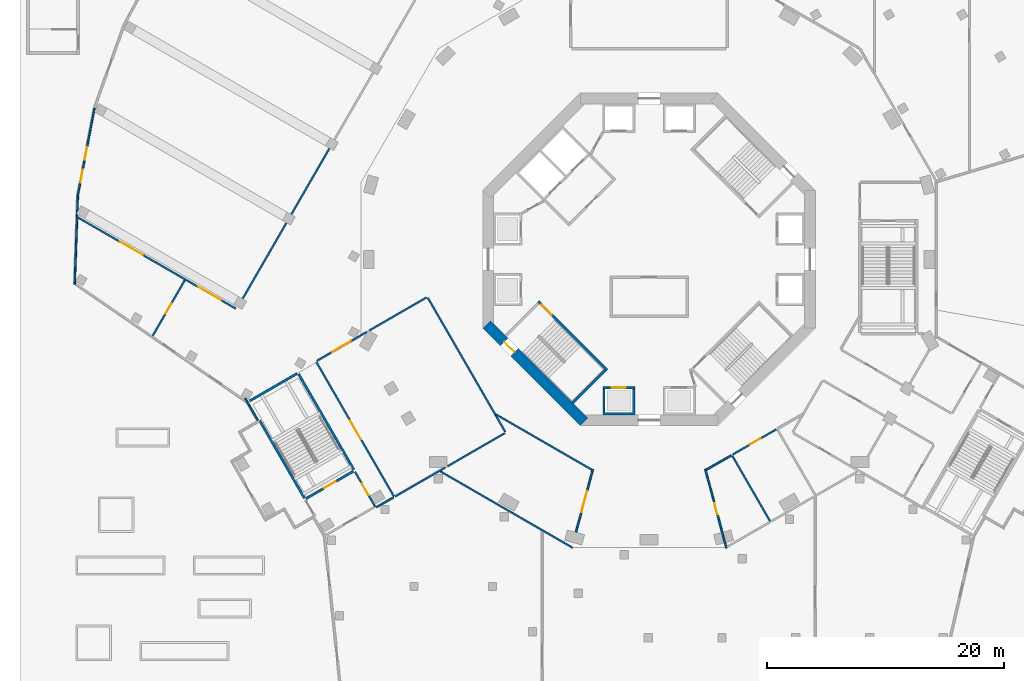
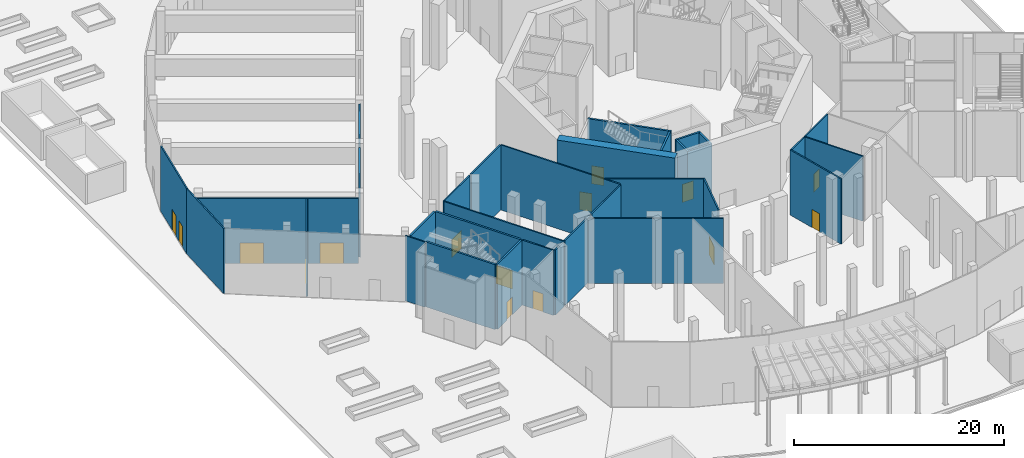
# One storey, part 6 of 30: 31 walls, 15 doors, 15 openings.
"""IFC4 building model written with IfcOpenShell, lengths in metres."""

from ifc_helpers import new_model, si_unit, direction, frame, frame_2d, origin, place, context, subcontext, project, spatial, polyline, rectangle, outline, extrude, material, layer, layer_set, type_object, element, fill, save


model = new_model("IFC4")

# Units and contexts
model_context = context("Model", 3, precision=1e-05, world=origin(), true_north=direction((0.0, 1.0)))
body_context = subcontext(model_context, "Body", "Model", "MODEL_VIEW")
ifc_project = project(units=[si_unit("LENGTHUNIT", "METRE"), si_unit("AREAUNIT", "SQUARE_METRE"), si_unit("VOLUMEUNIT", "CUBIC_METRE"), si_unit("PLANEANGLEUNIT", "RADIAN"), si_unit("MASSUNIT", "GRAM", prefix="KILO")], contexts=[model_context])

# Site, building, storey
site_placement = place(None, origin())
site = spatial("IfcSite", under=ifc_project, at=site_placement, CompositionType="ELEMENT")
building_placement = place(site_placement, origin())
building = spatial("IfcBuilding", under=site, at=building_placement, Name="Verdalira Terraces Hotel", CompositionType="ELEMENT")
storey_placement = place(building_placement, origin())
storey = spatial("IfcBuildingStorey", under=building, at=storey_placement, Name="L00", CompositionType="ELEMENT", Elevation=0.0)

# Wall
ifc_material_1 = material(Name="Concrete C50", Category="concrete")
ifc_layer_1 = layer(ifc_material_1, 0.199951171875)
ifc_layer_set_1 = layer_set([ifc_layer_1], Name="Core RC wall 200 C50")
wall_type_1 = type_object("IfcWallType", Name="Core RC wall 200 C50", PredefinedType="SOLIDWALL", material=ifc_layer_set_1)
wall_1_placement = place(storey_placement, origin())
element("IfcWall", 1, at=wall_1_placement, inside=storey, type_object=wall_type_1, Name="L00 shaft wall S1", PredefinedType="SOLIDWALL", context=body_context, shape_type="SweptSolid", body=[
    extrude(outline(polyline([(-3.899902, -13.100098), (-3.899902, -10.899902), (-3.699951, -10.899902), (-3.699951, -12.899902), (-1.399902, -12.899902), (-1.399902, -10.899902), (-1.199951, -10.899902), (-1.199951, -13.100098), (-3.899902, -13.100098)])), origin(), (0.0, 0.0, 1.0), 7.550049),
])

# Wall, opening, door
wall_2_placement = place(storey_placement, frame((-1.199951, -10.800049, 0.0), z_axis=(0.0, 0.0, 1.0), x_axis=(-1.0, 0.0, 0.0)))
wall_2 = element("IfcWall", 2, at=wall_2_placement, inside=storey, type_object=wall_type_1, Name="L00 shaft front wall S1", PredefinedType="SOLIDWALL", context=body_context, shape_type="SweptSolid", body=[
    extrude(rectangle(XDim=2.699951, YDim=0.199951, at=frame_2d((1.350098, 0.0))), origin(), (0.0, 0.0, 1.0), 7.550049),
])
opening_1_placement = place(wall_2_placement, frame((0.75, 0.0, 0.0)))
opening_1 = element("IfcOpeningElement", 3, at=opening_1_placement, cuts=wall_2, Name="Opening LD-L00-807", PredefinedType="OPENING", context=body_context, shape_type="SweptSolid", body=[
    extrude(rectangle(XDim=1.199951, YDim=2.100098, at=frame_2d((0.600098, 1.050049))), frame((0.0, 0.109863, 0.0), z_axis=(0.0, -1.0, 0.0), x_axis=(1.0, 0.0, 0.0)), (0.0, 0.0, 1.0), 0.219971),
])
ifc_material_2 = material(Name="Stainless steel", Category="steel")
door_type_1 = type_object("IfcDoorType", Name="Landing door 1200 x 2100", OperationType="NOTDEFINED", PredefinedType="DOOR", material=ifc_material_2)
door_1_placement = place(opening_1_placement, origin())
door_1 = element("IfcDoor", 4, at=door_1_placement, inside=storey, type_object=door_type_1, Name="Lift landing door SH1 L00", OperationType="DOUBLE_DOOR_SLIDING", OverallHeight=2.10009765625, OverallWidth=1.199951171875, PredefinedType="DOOR", context=body_context, shape_type="SweptSolid", body=[
    extrude(rectangle(XDim=1.199951, YDim=2.100098, at=frame_2d((0.600098, 1.050049))), frame((0.0, 0.024902, 0.0), z_axis=(0.0, -1.0, 0.0), x_axis=(1.0, 0.0, 0.0)), (0.0, 0.0, 1.0), 0.050049),
])
fill(opening_1, door_1)

wall_3_placement = place(storey_placement, frame((-3.5354, -9.33374, 0.0), z_axis=(0.0, 0.0, 1.0), x_axis=(-0.707106781, 0.707106781, 0.0)))
wall_3 = element("IfcWall", 5, at=wall_3_placement, inside=storey, type_object=wall_type_1, Name="L00 stair ST2 front wall", PredefinedType="SOLIDWALL", context=body_context, shape_type="SweptSolid", body=[
    extrude(rectangle(XDim=8.200195, YDim=0.199951, at=frame_2d((4.100098, 0.0))), origin(), (0.0, 0.0, 1.0), 7.550049),
])
opening_2_placement = place(wall_3_placement, frame((6.600098, 0.0, 0.0)))
opening_2 = element("IfcOpeningElement", 6, at=opening_2_placement, cuts=wall_3, Name="Opening L00-812", PredefinedType="OPENING", context=body_context, shape_type="SweptSolid", body=[
    extrude(rectangle(XDim=1.199951, YDim=2.100098, at=frame_2d((0.600098, 1.050049))), frame((0.0, 0.109863, 0.0), z_axis=(0.0, -1.0, 0.0), x_axis=(1.0, 0.0, 0.0)), (0.0, 0.0, 1.0), 0.219971),
])
ifc_material_3 = material(Name="Steel fire door", Category="steel")
door_type_2 = type_object("IfcDoorType", Name="Stair door 1200 x 2100", OperationType="NOTDEFINED", PredefinedType="DOOR", material=ifc_material_3)
door_2_placement = place(opening_2_placement, origin())
door_2 = element("IfcDoor", 7, at=door_2_placement, inside=storey, type_object=door_type_2, Name="Stair door ST2 L00", OperationType="SINGLE_SWING_RIGHT", OverallHeight=2.10009765625, OverallWidth=1.199951171875, PredefinedType="DOOR", context=body_context, shape_type="SweptSolid", body=[
    extrude(rectangle(XDim=1.199951, YDim=2.100098, at=frame_2d((0.600098, 1.050049))), frame((0.0, 0.024902, 0.0), z_axis=(0.0, -1.0, 0.0), x_axis=(1.0, 0.0, 0.0)), (0.0, 0.0, 1.0), 0.050049),
])
fill(opening_2, door_2)

# Wall
wall_4_placement = place(storey_placement, frame((-3.677002, -9.33374, 0.0), z_axis=(0.0, 0.0, 1.0), x_axis=(-0.707106781, -0.707106781, 0.0)))
element("IfcWall", 8, at=wall_4_placement, inside=storey, type_object=wall_type_1, Name="L00 stair ST2 end wall 2", PredefinedType="SOLIDWALL", context=body_context, shape_type="SweptSolid", body=[
    extrude(rectangle(XDim=3.900146, YDim=0.199951, at=frame_2d((1.950195, 0.0))), origin(), (0.0, 0.0, 1.0), 7.550049),
])

# Wall, opening, door
ifc_material_4 = material(Name="Concrete C70", Category="concrete")
ifc_layer_2 = layer(ifc_material_4, 0.89990234375)
ifc_layer_set_2 = layer_set([ifc_layer_2], Name="Core wall 900 C70")
wall_type_2 = type_object("IfcWallType", Name="Core wall 900 C70", PredefinedType="SHEAR", material=ifc_layer_set_2)
wall_5_placement = place(storey_placement, frame((-13.681885, -5.480713, 0.0), z_axis=(0.0, 0.0, 1.0), x_axis=(0.707106781, -0.707106781, 0.0)))
wall_5 = element("IfcWall", 9, at=wall_5_placement, inside=storey, type_object=wall_type_2, Name="Core wall CW-L00-6", PredefinedType="SHEAR", context=body_context, shape_type="SweptSolid", body=[
    extrude(rectangle(XDim=11.598145, YDim=0.899902, at=frame_2d((5.799072, 0.0))), origin(), (0.0, 0.0, 1.0), 8.0),
])
opening_3_placement = place(wall_5_placement, frame((2.099121, 0.0, 0.0)))
opening_3 = element("IfcOpeningElement", 10, at=opening_3_placement, cuts=wall_5, Name="Opening L00-819", PredefinedType="OPENING", context=body_context, shape_type="SweptSolid", body=[
    extrude(rectangle(XDim=1.199951, YDim=2.100098, at=frame_2d((0.600098, 1.050049))), frame((0.0, 0.459961, 0.0), z_axis=(0.0, -1.0, 0.0), x_axis=(1.0, 0.0, 0.0)), (0.0, 0.0, 1.0), 0.919922),
])
door_3_placement = place(opening_3_placement, origin())
door_3 = element("IfcDoor", 11, at=door_3_placement, inside=storey, type_object=door_type_2, Name="Stair exit door ST2 L00", OperationType="SINGLE_SWING_LEFT", OverallHeight=2.10009765625, OverallWidth=1.199951171875, PredefinedType="DOOR", context=body_context, shape_type="SweptSolid", body=[
    extrude(rectangle(XDim=1.199951, YDim=2.100098, at=frame_2d((0.600098, 1.050049))), frame((0.0, 0.024902, 0.0), z_axis=(0.0, -1.0, 0.0), x_axis=(1.0, 0.0, 0.0)), (0.0, 0.0, 1.0), 0.050049),
])
fill(opening_3, door_3)

# Wall, openings, doors
ifc_material_5 = material(Name="Gypsum board partition on steel stud", Category="steel")
ifc_layer_3 = layer(ifc_material_5, 0.14990234375)
ifc_layer_set_3 = layer_set([ifc_layer_3], Name="Fire-rated partition 150 mm")
wall_type_3 = type_object("IfcWallType", Name="Fire-rated partition 150 mm", PredefinedType="PARTITIONING", material=ifc_layer_set_3)
wall_6_placement = place(storey_placement, frame((-34.813721, -4.148926, 0.0), z_axis=(0.0, 0.0, 1.0), x_axis=(-0.866027575, 0.499996239, 0.0)))
wall_6 = element("IfcWall", 12, at=wall_6_placement, inside=storey, type_object=wall_type_3, Name="Partition", PredefinedType="PARTITIONING", context=body_context, shape_type="SweptSolid", body=[
    extrude(rectangle(XDim=15.412109, YDim=0.149902, at=frame_2d((7.706055, 0.0))), origin(), (0.0, 0.0, 1.0), 7.550049),
])
opening_4_placement = place(wall_6_placement, frame((9.062256, 0.0, 0.0)))
opening_4 = element("IfcOpeningElement", 13, at=opening_4_placement, cuts=wall_6, Name="Opening L00-D01", PredefinedType="OPENING", context=body_context, shape_type="SweptSolid", body=[
    extrude(rectangle(XDim=2.199951, YDim=2.399902, at=frame_2d((1.100098, 1.199951))), frame((0.0, 0.084961, 0.0), z_axis=(0.0, -1.0, 0.0), x_axis=(1.0, 0.0, 0.0)), (0.0, 0.0, 1.0), 0.169922),
])
opening_5_placement = place(wall_6_placement, frame((1.462402, 0.0, 0.0)))
opening_5 = element("IfcOpeningElement", 14, at=opening_5_placement, cuts=wall_6, Name="Opening L00-D02", PredefinedType="OPENING", context=body_context, shape_type="SweptSolid", body=[
    extrude(rectangle(XDim=2.199951, YDim=2.399902, at=frame_2d((1.100098, 1.199951))), frame((0.0, 0.084961, 0.0), z_axis=(0.0, -1.0, 0.0), x_axis=(1.0, 0.0, 0.0)), (0.0, 0.0, 1.0), 0.169922),
])
ifc_material_6 = material(Name="Timber fire door", Category="wood")
door_type_3 = type_object("IfcDoorType", Name="Ballroom door pair 2200 x 2400", OperationType="DOUBLE_DOOR_SINGLE_SWING", PredefinedType="DOOR", material=ifc_material_6)
door_4_placement = place(opening_4_placement, origin())
door_4 = element("IfcDoor", 15, at=door_4_placement, inside=storey, type_object=door_type_3, Name="Cloak store door", OperationType="DOUBLE_DOOR_SINGLE_SWING", OverallHeight=2.39990234375, OverallWidth=2.199951171875, PredefinedType="DOOR", context=body_context, shape_type="SweptSolid", body=[
    extrude(rectangle(XDim=2.199951, YDim=2.399902, at=frame_2d((1.100098, 1.199951))), frame((0.0, 0.024902, 0.0), z_axis=(0.0, -1.0, 0.0), x_axis=(1.0, 0.0, 0.0)), (0.0, 0.0, 1.0), 0.050049),
])
fill(opening_4, door_4)
door_5_placement = place(opening_5_placement, origin())
door_5 = element("IfcDoor", 16, at=door_5_placement, inside=storey, type_object=door_type_3, Name="Pre-function foyer door", OperationType="DOUBLE_DOOR_SINGLE_SWING", OverallHeight=2.39990234375, OverallWidth=2.199951171875, PredefinedType="DOOR", context=body_context, shape_type="SweptSolid", body=[
    extrude(rectangle(XDim=2.199951, YDim=2.399902, at=frame_2d((1.100098, 1.199951))), frame((0.0, 0.024902, 0.0), z_axis=(0.0, -1.0, 0.0), x_axis=(1.0, 0.0, 0.0)), (0.0, 0.0, 1.0), 0.050049),
])
fill(opening_5, door_5)

# Wall, opening, door
wall_7_placement = place(storey_placement, frame((-41.825928, -6.44458, 0.0), z_axis=(0.0, 0.0, 1.0), x_axis=(0.50002013, 0.866013781, 0.0)))
wall_7 = element("IfcWall", 17, at=wall_7_placement, inside=storey, type_object=wall_type_3, Name="Partition", PredefinedType="PARTITIONING", context=body_context, shape_type="SweptSolid", body=[
    extrude(rectangle(XDim=5.419189, YDim=0.149902, at=frame_2d((2.709473, 0.0))), origin(), (0.0, 0.0, 1.0), 7.550049),
])
opening_6_placement = place(wall_7_placement, frame((2.149902, 0.0, 0.0)))
opening_6 = element("IfcOpeningElement", 18, at=opening_6_placement, cuts=wall_7, Name="Opening L00-D03", PredefinedType="OPENING", context=body_context, shape_type="SweptSolid", body=[
    extrude(rectangle(XDim=1.0, YDim=2.100098, at=frame_2d((0.5, 1.050049))), frame((0.0, 0.084961, 0.0), z_axis=(0.0, -1.0, 0.0), x_axis=(1.0, 0.0, 0.0)), (0.0, 0.0, 1.0), 0.169922),
])
ifc_material_7 = material(Name="Steel fire door", Category="steel")
door_type_4 = type_object("IfcDoorType", Name="Fire door 1000 x 2100", OperationType="SINGLE_SWING_LEFT", PredefinedType="DOOR", material=ifc_material_7)
door_6_placement = place(opening_6_placement, origin())
door_6 = element("IfcDoor", 19, at=door_6_placement, inside=storey, type_object=door_type_4, Name="Cloak store door", OperationType="SINGLE_SWING_LEFT", OverallHeight=2.10009765625, OverallWidth=1.0, PredefinedType="DOOR", context=body_context, shape_type="SweptSolid", body=[
    extrude(rectangle(XDim=1.0, YDim=2.100098, at=frame_2d((0.5, 1.050049))), frame((0.0, 0.024902, 0.0), z_axis=(0.0, -1.0, 0.0), x_axis=(1.0, 0.0, 0.0)), (0.0, 0.0, 1.0), 0.050049),
])
fill(opening_6, door_6)

# Walls
wall_8_placement = place(storey_placement, frame((-34.233643, -3.294434, 0.0), z_axis=(0.0, 0.0, 1.0), x_axis=(0.500001669, 0.86602444, 0.0)))
element("IfcWall", 20, at=wall_8_placement, inside=storey, type_object=wall_type_3, Name="Partition", PredefinedType="PARTITIONING", context=body_context, shape_type="SweptSolid", body=[
    extrude(rectangle(XDim=7.341797, YDim=0.149902, at=frame_2d((3.670898, 0.0))), origin(), (0.0, 0.0, 1.0), 7.550049),
])
wall_9_placement = place(storey_placement, frame((-30.132812, 3.808594, 0.0), z_axis=(0.0, 0.0, 1.0), x_axis=(0.500005772, 0.866022071, 0.0)))
element("IfcWall", 21, at=wall_9_placement, inside=storey, type_object=wall_type_3, Name="Partition", PredefinedType="PARTITIONING", context=body_context, shape_type="SweptSolid", body=[
    extrude(rectangle(XDim=6.390137, YDim=0.149902, at=frame_2d((3.195068, 0.0))), origin(), (0.0, 0.0, 1.0), 7.550049),
])

# Wall, opening, door
wall_10_placement = place(storey_placement, frame((-24.777344, -17.884521, 0.0), z_axis=(0.0, 0.0, 1.0), x_axis=(0.500041249, -0.866001587, 0.0)))
wall_10 = element("IfcWall", 22, at=wall_10_placement, inside=storey, type_object=wall_type_3, Name="Partition", PredefinedType="PARTITIONING", context=body_context, shape_type="SweptSolid", body=[
    extrude(rectangle(XDim=3.425049, YDim=0.149902, at=frame_2d((1.712402, 0.0))), origin(), (0.0, 0.0, 1.0), 7.550049),
])
opening_7_placement = place(wall_10_placement, frame((1.175049, 0.0, 0.0)))
opening_7 = element("IfcOpeningElement", 23, at=opening_7_placement, cuts=wall_10, Name="Opening L00-D07", PredefinedType="OPENING", context=body_context, shape_type="SweptSolid", body=[
    extrude(rectangle(XDim=1.100098, YDim=2.100098, at=frame_2d((0.550049, 1.050049))), frame((0.0, 0.084961, 0.0), z_axis=(0.0, -1.0, 0.0), x_axis=(1.0, 0.0, 0.0)), (0.0, 0.0, 1.0), 0.169922),
])
ifc_material_8 = material(Name="Steel fire door", Category="steel")
door_type_5 = type_object("IfcDoorType", Name="Stair door 1100 x 2100", OperationType="SINGLE_SWING_LEFT", PredefinedType="DOOR", material=ifc_material_8)
door_7_placement = place(opening_7_placement, origin())
door_7 = element("IfcDoor", 24, at=door_7_placement, inside=storey, type_object=door_type_5, Name="Stair door Stair approach corridor", OperationType="SINGLE_SWING_LEFT", OverallHeight=2.10009765625, OverallWidth=1.10009765625, PredefinedType="DOOR", context=body_context, shape_type="SweptSolid", body=[
    extrude(rectangle(XDim=1.100098, YDim=2.100098, at=frame_2d((0.550049, 1.050049))), frame((0.0, 0.024902, 0.0), z_axis=(0.0, -1.0, 0.0), x_axis=(1.0, 0.0, 0.0)), (0.0, 0.0, 1.0), 0.050049),
])
fill(opening_7, door_7)

# Wall
wall_11_placement = place(storey_placement, frame((-22.962158, -20.878174, 0.0), z_axis=(0.0, 0.0, 1.0), x_axis=(0.866040212, 0.499974351, 0.0)))
element("IfcWall", 25, at=wall_11_placement, inside=storey, type_object=wall_type_3, Name="Partition", PredefinedType="PARTITIONING", context=body_context, shape_type="SweptSolid", body=[
    extrude(rectangle(XDim=1.649902, YDim=0.149902, at=frame_2d((0.824951, 0.0))), origin(), (0.0, 0.0, 1.0), 7.550049),
])

# Wall, opening, door
wall_12_placement = place(storey_placement, frame((-21.505859, -19.950684, 0.0), z_axis=(0.0, 0.0, 1.0), x_axis=(-0.499998298, 0.866026387, 0.0)))
wall_12 = element("IfcWall", 26, at=wall_12_placement, inside=storey, type_object=wall_type_3, Name="Partition", PredefinedType="PARTITIONING", context=body_context, shape_type="SweptSolid", body=[
    extrude(rectangle(XDim=13.049805, YDim=0.149902, at=frame_2d((6.524902, 0.0))), origin(), (0.0, 0.0, 1.0), 7.550049),
])
opening_8_placement = place(wall_12_placement, frame((5.550049, 0.0, 0.0)))
opening_8 = element("IfcOpeningElement", 27, at=opening_8_placement, cuts=wall_12, Name="Opening L00-D08", PredefinedType="OPENING", context=body_context, shape_type="SweptSolid", body=[
    extrude(rectangle(XDim=1.800049, YDim=2.100098, at=frame_2d((0.899902, 1.050049))), frame((0.0, 0.084961, 0.0), z_axis=(0.0, -1.0, 0.0), x_axis=(1.0, 0.0, 0.0)), (0.0, 0.0, 1.0), 0.169922),
])
ifc_material_9 = material(Name="Steel fire door", Category="steel")
door_type_6 = type_object("IfcDoorType", Name="Fire door pair 1800 x 2100", OperationType="DOUBLE_DOOR_SINGLE_SWING", PredefinedType="DOOR", material=ifc_material_9)
door_8_placement = place(opening_8_placement, origin())
door_8 = element("IfcDoor", 28, at=door_8_placement, inside=storey, type_object=door_type_6, Name="Stair approach corridor door", OperationType="DOUBLE_DOOR_SINGLE_SWING", OverallHeight=2.10009765625, OverallWidth=1.800048828125, PredefinedType="DOOR", context=body_context, shape_type="SweptSolid", body=[
    extrude(rectangle(XDim=1.800049, YDim=2.100098, at=frame_2d((0.899902, 1.050049))), frame((0.0, 0.024902, 0.0), z_axis=(0.0, -1.0, 0.0), x_axis=(1.0, 0.0, 0.0)), (0.0, 0.0, 1.0), 0.050049),
])
fill(opening_8, door_8)

# Walls
wall_13_placement = place(storey_placement, frame((-21.403564, -19.978516, 0.0), z_axis=(0.0, 0.0, 1.0), x_axis=(0.866005103, 0.50003516, 0.0)))
element("IfcWall", 29, at=wall_13_placement, inside=storey, type_object=wall_type_3, Name="Partition", PredefinedType="PARTITIONING", context=body_context, shape_type="SweptSolid", body=[
    extrude(rectangle(XDim=4.865967, YDim=0.149902, at=frame_2d((2.433105, 0.0))), origin(), (0.0, 0.0, 1.0), 7.550049),
])
wall_14_placement = place(storey_placement, frame((-16.978271, -17.423584, 0.0), z_axis=(0.0, 0.0, 1.0), x_axis=(0.866016603, 0.500015243, 0.0)))
element("IfcWall", 30, at=wall_14_placement, inside=storey, type_object=wall_type_3, Name="Partition", PredefinedType="PARTITIONING", context=body_context, shape_type="SweptSolid", body=[
    extrude(rectangle(XDim=5.581787, YDim=0.149902, at=frame_2d((2.791016, 0.0))), origin(), (0.0, 0.0, 1.0), 7.550049),
])

# Wall, opening, door
wall_15_placement = place(storey_placement, frame((-28.003418, -8.546875, 0.0), z_axis=(0.0, 0.0, 1.0), x_axis=(0.866014286, 0.500019257, 0.0)))
wall_15 = element("IfcWall", 31, at=wall_15_placement, inside=storey, type_object=wall_type_3, Name="Partition", PredefinedType="PARTITIONING", context=body_context, shape_type="SweptSolid", body=[
    extrude(rectangle(XDim=4.865479, YDim=0.149902, at=frame_2d((2.432617, 0.0))), origin(), (0.0, 0.0, 1.0), 7.550049),
])
opening_9_placement = place(wall_15_placement, frame((1.515625, 0.0, 0.0)))
opening_9 = element("IfcOpeningElement", 32, at=opening_9_placement, cuts=wall_15, Name="Opening L00-D09", PredefinedType="OPENING", context=body_context, shape_type="SweptSolid", body=[
    extrude(rectangle(XDim=1.800049, YDim=2.100098, at=frame_2d((0.899902, 1.050049))), frame((0.0, 0.084961, 0.0), z_axis=(0.0, -1.0, 0.0), x_axis=(1.0, 0.0, 0.0)), (0.0, 0.0, 1.0), 0.169922),
])
door_9_placement = place(opening_9_placement, origin())
door_9 = element("IfcDoor", 33, at=door_9_placement, inside=storey, type_object=door_type_6, Name="Pre-function foyer door", OperationType="DOUBLE_DOOR_SINGLE_SWING", OverallHeight=2.10009765625, OverallWidth=1.800048828125, PredefinedType="DOOR", context=body_context, shape_type="SweptSolid", body=[
    extrude(rectangle(XDim=1.800049, YDim=2.100098, at=frame_2d((0.899902, 1.050049))), frame((0.0, 0.024902, 0.0), z_axis=(0.0, -1.0, 0.0), x_axis=(1.0, 0.0, 0.0)), (0.0, 0.0, 1.0), 0.050049),
])
fill(opening_9, door_9)

# Walls
wall_16_placement = place(storey_placement, frame((-18.744141, -3.200928, 0.0), z_axis=(0.0, 0.0, 1.0), x_axis=(-0.866027538, -0.499996304, 0.0)))
element("IfcWall", 34, at=wall_16_placement, inside=storey, type_object=wall_type_3, Name="Partition", PredefinedType="PARTITIONING", context=body_context, shape_type="SweptSolid", body=[
    extrude(rectangle(XDim=5.582031, YDim=0.149902, at=frame_2d((2.791016, 0.0))), origin(), (0.0, 0.0, 1.0), 7.550049),
])
wall_17_placement = place(storey_placement, frame((-12.116699, -14.529785, 0.0), z_axis=(0.0, 0.0, 1.0), x_axis=(-0.500006399, 0.866021709, 0.0)))
element("IfcWall", 35, at=wall_17_placement, inside=storey, type_object=wall_type_3, Name="Partition", PredefinedType="PARTITIONING", context=body_context, shape_type="SweptSolid", body=[
    extrude(rectangle(XDim=13.049561, YDim=0.149902, at=frame_2d((6.524902, 0.0))), origin(), (0.0, 0.0, 1.0), 7.550049),
])
wall_18_placement = place(storey_placement, frame((-6.435059, -24.295898, 0.0), z_axis=(0.0, 0.0, 1.0), x_axis=(-0.866023714, 0.500002927, 0.0)))
element("IfcWall", 36, at=wall_18_placement, inside=storey, type_object=wall_type_3, Name="Partition", PredefinedType="PARTITIONING", context=body_context, shape_type="SweptSolid", body=[
    extrude(rectangle(XDim=12.884766, YDim=0.149902, at=frame_2d((6.442383, 0.0))), origin(), (0.0, 0.0, 1.0), 7.550049),
])

# Wall, opening, door
wall_19_placement = place(storey_placement, frame((-6.15332, -22.9646, 0.0), z_axis=(0.0, 0.0, 1.0), x_axis=(0.258794143, 0.965932498, 0.0)))
wall_19 = element("IfcWall", 37, at=wall_19_placement, inside=storey, type_object=wall_type_3, Name="Partition", PredefinedType="PARTITIONING", context=body_context, shape_type="SweptSolid", body=[
    extrude(rectangle(XDim=5.465088, YDim=0.149902, at=frame_2d((2.732422, 0.0))), origin(), (0.0, 0.0, 1.0), 7.550049),
])
opening_10_placement = place(wall_19_placement, frame((1.75, 0.0, 0.0)))
opening_10 = element("IfcOpeningElement", 38, at=opening_10_placement, cuts=wall_19, Name="Opening L00-D14", PredefinedType="OPENING", context=body_context, shape_type="SweptSolid", body=[
    extrude(rectangle(XDim=1.800049, YDim=2.100098, at=frame_2d((0.899902, 1.050049))), frame((0.0, 0.084961, 0.0), z_axis=(0.0, -1.0, 0.0), x_axis=(1.0, 0.0, 0.0)), (0.0, 0.0, 1.0), 0.169922),
])
door_10_placement = place(opening_10_placement, origin())
door_10 = element("IfcDoor", 39, at=door_10_placement, inside=storey, type_object=door_type_6, Name="Reception and concierge door", OperationType="DOUBLE_DOOR_SINGLE_SWING", OverallHeight=2.10009765625, OverallWidth=1.800048828125, PredefinedType="DOOR", context=body_context, shape_type="SweptSolid", body=[
    extrude(rectangle(XDim=1.800049, YDim=2.100098, at=frame_2d((0.899902, 1.050049))), frame((0.0, 0.024902, 0.0), z_axis=(0.0, -1.0, 0.0), x_axis=(1.0, 0.0, 0.0)), (0.0, 0.0, 1.0), 0.050049),
])
fill(opening_10, door_10)

# Wall
wall_20_placement = place(storey_placement, frame((-4.823242, -17.720703, 0.0), z_axis=(0.0, 0.0, 1.0), x_axis=(-0.866037142, 0.499979668, 0.0)))
element("IfcWall", 40, at=wall_20_placement, inside=storey, type_object=wall_type_3, Name="Partition", PredefinedType="PARTITIONING", context=body_context, shape_type="SweptSolid", body=[
    extrude(rectangle(XDim=9.366699, YDim=0.149902, at=frame_2d((4.68335, 0.0))), origin(), (0.0, 0.0, 1.0), 7.550049),
])

# Wall, opening, door
wall_21_placement = place(storey_placement, frame((4.739014, -17.685791, 0.0), z_axis=(0.0, 0.0, 1.0), x_axis=(0.258784572, -0.965935063, 0.0)))
wall_21 = element("IfcWall", 41, at=wall_21_placement, inside=storey, type_object=wall_type_3, Name="Partition", PredefinedType="PARTITIONING", context=body_context, shape_type="SweptSolid", body=[
    extrude(rectangle(XDim=6.879395, YDim=0.149902, at=frame_2d((3.439697, 0.0))), origin(), (0.0, 0.0, 1.0), 7.550049),
])
opening_11_placement = place(wall_21_placement, frame((2.949951, 0.0, 0.0)))
opening_11 = element("IfcOpeningElement", 42, at=opening_11_placement, cuts=wall_21, Name="Opening L00-D19", PredefinedType="OPENING", context=body_context, shape_type="SweptSolid", body=[
    extrude(rectangle(XDim=1.0, YDim=2.100098, at=frame_2d((0.5, 1.050049))), frame((0.0, 0.084961, 0.0), z_axis=(0.0, -1.0, 0.0), x_axis=(1.0, 0.0, 0.0)), (0.0, 0.0, 1.0), 0.169922),
])
door_11_placement = place(opening_11_placement, origin())
door_11 = element("IfcDoor", 43, at=door_11_placement, inside=storey, type_object=door_type_4, Name="Women's WC door", OperationType="SINGLE_SWING_LEFT", OverallHeight=2.10009765625, OverallWidth=1.0, PredefinedType="DOOR", context=body_context, shape_type="SweptSolid", body=[
    extrude(rectangle(XDim=1.0, YDim=2.100098, at=frame_2d((0.5, 1.050049))), frame((0.0, 0.024902, 0.0), z_axis=(0.0, -1.0, 0.0), x_axis=(1.0, 0.0, 0.0)), (0.0, 0.0, 1.0), 0.050049),
])
fill(opening_11, door_11)

# Walls
wall_22_placement = place(storey_placement, frame((6.90918, -16.516602, 0.0), z_axis=(0.0, 0.0, 1.0), x_axis=(-0.866064057, -0.499933044, 0.0)))
element("IfcWall", 44, at=wall_22_placement, inside=storey, type_object=wall_type_3, Name="Partition", PredefinedType="PARTITIONING", context=body_context, shape_type="SweptSolid", body=[
    extrude(rectangle(XDim=2.408447, YDim=0.149902, at=frame_2d((1.204102, 0.0))), origin(), (0.0, 0.0, 1.0), 7.550049),
])
wall_23_placement = place(storey_placement, frame((10.186279, -22.043457, 0.0), z_axis=(0.0, 0.0, 1.0), x_axis=(-0.499976504, 0.866038969, 0.0)))
element("IfcWall", 45, at=wall_23_placement, inside=storey, type_object=wall_type_3, Name="Partition", PredefinedType="PARTITIONING", context=body_context, shape_type="SweptSolid", body=[
    extrude(rectangle(XDim=6.349854, YDim=0.149902, at=frame_2d((3.174805, 0.0))), origin(), (0.0, 0.0, 1.0), 7.550049),
])

# Wall, opening, door
wall_24_placement = place(storey_placement, frame((10.719482, -14.31665, 0.0), z_axis=(0.0, 0.0, 1.0), x_axis=(-0.866003829, -0.500037366, 0.0)))
wall_24 = element("IfcWall", 46, at=wall_24_placement, inside=storey, type_object=wall_type_3, Name="Partition", PredefinedType="PARTITIONING", context=body_context, shape_type="SweptSolid", body=[
    extrude(rectangle(XDim=4.250244, YDim=0.149902, at=frame_2d((2.125, 0.0))), origin(), (0.0, 0.0, 1.0), 7.550049),
])
opening_12_placement = place(wall_24_placement, frame((1.550049, 0.0, 0.0)))
opening_12 = element("IfcOpeningElement", 47, at=opening_12_placement, cuts=wall_24, Name="Opening L00-D21", PredefinedType="OPENING", context=body_context, shape_type="SweptSolid", body=[
    extrude(rectangle(XDim=1.0, YDim=2.100098, at=frame_2d((0.5, 1.050049))), frame((0.0, 0.084961, 0.0), z_axis=(0.0, -1.0, 0.0), x_axis=(1.0, 0.0, 0.0)), (0.0, 0.0, 1.0), 0.169922),
])
door_12_placement = place(opening_12_placement, origin())
door_12 = element("IfcDoor", 48, at=door_12_placement, inside=storey, type_object=door_type_4, Name="Men's WC door", OperationType="SINGLE_SWING_LEFT", OverallHeight=2.10009765625, OverallWidth=1.0, PredefinedType="DOOR", context=body_context, shape_type="SweptSolid", body=[
    extrude(rectangle(XDim=1.0, YDim=2.100098, at=frame_2d((0.5, 1.050049))), frame((0.0, 0.024902, 0.0), z_axis=(0.0, -1.0, 0.0), x_axis=(1.0, 0.0, 0.0)), (0.0, 0.0, 1.0), 0.050049),
])
fill(opening_12, door_12)

# Walls
ifc_material_10 = material(Name="Concrete C50", Category="concrete")
ifc_layer_4 = layer(ifc_material_10, 0.199951171875)
ifc_layer_set_4 = layer_set([ifc_layer_4], Name="Stair enclosure wall 200 mm")
wall_type_4 = type_object("IfcWallType", Name="Stair enclosure wall 200 mm", PredefinedType="SOLIDWALL", material=ifc_layer_set_4)
wall_25_placement = place(storey_placement, frame((-32.806641, -13.577148, 0.0), z_axis=(0.0, 0.0, 1.0), x_axis=(0.50000534, -0.866022321, 0.0)))
element("IfcWall", 49, at=wall_25_placement, inside=storey, type_object=wall_type_4, Name="Stair enclosure wall", PredefinedType="SOLIDWALL", context=body_context, shape_type="SweptSolid", body=[
    extrude(rectangle(XDim=7.54541, YDim=0.199951, at=frame_2d((3.772705, 0.0))), origin(), (0.0, 0.0, 1.0), 7.550049),
])
wall_26_placement = place(storey_placement, frame((-29.663818, -9.62085, 0.0), z_axis=(0.0, 0.0, 1.0), x_axis=(-0.866030039, -0.499991972, 0.0)))
element("IfcWall", 50, at=wall_26_placement, inside=storey, type_object=wall_type_4, Name="Stair enclosure wall", PredefinedType="SOLIDWALL", context=body_context, shape_type="SweptSolid", body=[
    extrude(rectangle(XDim=4.600098, YDim=0.199951, at=frame_2d((2.300049, 0.0))), origin(), (0.0, 0.0, 1.0), 7.550049),
])

# Wall, opening, door
wall_27_placement = place(storey_placement, frame((-24.913818, -17.848145, 0.0), z_axis=(0.0, 0.0, 1.0), x_axis=(-0.86601677, -0.500014953, 0.0)))
wall_27 = element("IfcWall", 51, at=wall_27_placement, inside=storey, type_object=wall_type_4, Name="Stair enclosure wall", PredefinedType="SOLIDWALL", context=body_context, shape_type="SweptSolid", body=[
    extrude(rectangle(XDim=4.599854, YDim=0.199951, at=frame_2d((2.299805, 0.0))), origin(), (0.0, 0.0, 1.0), 7.550049),
])
opening_13_placement = place(wall_27_placement, frame((1.75, 0.0, 0.0)))
opening_13 = element("IfcOpeningElement", 52, at=opening_13_placement, cuts=wall_27, Name="Opening L00-D05", PredefinedType="OPENING", context=body_context, shape_type="SweptSolid", body=[
    extrude(rectangle(XDim=1.100098, YDim=2.100098, at=frame_2d((0.550049, 1.050049))), frame((0.0, 0.109863, 0.0), z_axis=(0.0, -1.0, 0.0), x_axis=(1.0, 0.0, 0.0)), (0.0, 0.0, 1.0), 0.219971),
])
door_13_placement = place(opening_13_placement, origin())
door_13 = element("IfcDoor", 53, at=door_13_placement, inside=storey, type_object=door_type_5, Name="Stair door Stair lobby PS2", OperationType="SINGLE_SWING_LEFT", OverallHeight=2.10009765625, OverallWidth=1.10009765625, PredefinedType="DOOR", context=body_context, shape_type="SweptSolid", body=[
    extrude(rectangle(XDim=1.100098, YDim=2.100098, at=frame_2d((0.550049, 1.050049))), frame((0.0, 0.024902, 0.0), z_axis=(0.0, -1.0, 0.0), x_axis=(1.0, 0.0, 0.0)), (0.0, 0.0, 1.0), 0.050049),
])
fill(opening_13, door_13)

# Walls
wall_28_placement = place(storey_placement, frame((-24.877197, -17.71167, 0.0), z_axis=(0.0, 0.0, 1.0), x_axis=(-0.499984537, 0.866034331, 0.0)))
element("IfcWall", 54, at=wall_28_placement, inside=storey, type_object=wall_type_4, Name="Stair enclosure wall", PredefinedType="SOLIDWALL", context=body_context, shape_type="SweptSolid", body=[
    extrude(rectangle(XDim=9.300049, YDim=0.199951, at=frame_2d((4.649902, 0.0))), origin(), (0.0, 0.0, 1.0), 7.550049),
])
ifc_material_11 = material(Name="Concrete C40", Category="concrete")
ifc_layer_5 = layer(ifc_material_11, 0.139892578125)
ifc_layer_set_5 = layer_set([ifc_layer_5], Name="Terracotta clad concrete wall C40 140 mm")
wall_type_5 = type_object("IfcWallType", Name="Terracotta clad concrete wall C40 140 mm", PredefinedType="SOLIDWALL", material=ifc_layer_set_5)
wall_29_placement = place(storey_placement, frame((-34.034668, -11.710205, 0.0), z_axis=(0.0, 0.0, 1.0), x_axis=(0.49995231, -0.866052936, 0.0)))
element("IfcWall", 55, at=wall_29_placement, inside=storey, type_object=wall_type_5, Name="Podium facade wall", PredefinedType="SOLIDWALL", context=body_context, shape_type="SweptSolid", body=[
    extrude(rectangle(XDim=2.176025, YDim=0.139893, at=frame_2d((1.087891, 0.0))), origin(), (0.0, 0.0, 1.0), 7.550049),
])

# Wall, openings, doors
ifc_material_12 = material(Name="Terracotta cladding on steel stud backup", Category="masonry")
ifc_layer_6 = layer(ifc_material_12, 0.139892578125)
ifc_layer_set_6 = layer_set([ifc_layer_6], Name="Terracotta clad wall 140 mm")
wall_type_6 = type_object("IfcWallType", Name="Terracotta clad wall 140 mm", PredefinedType="SOLIDWALL", material=ifc_layer_set_6)
wall_30_placement = place(storey_placement, frame((-48.12793, 5.402588, 0.0), z_axis=(0.0, 0.0, 1.0), x_axis=(0.187839368, 0.982199762, 0.0)))
wall_30 = element("IfcWall", 56, at=wall_30_placement, inside=storey, type_object=wall_type_6, Name="Podium facade wall", PredefinedType="SOLIDWALL", context=body_context, shape_type="SweptSolid", body=[
    extrude(rectangle(XDim=7.465576, YDim=0.139893, at=frame_2d((3.73291, 0.0))), origin(), (0.0, 0.0, 1.0), 7.550049),
])
opening_14_placement = place(wall_30_placement, frame((3.032227, 0.0, 0.0)))
opening_14 = element("IfcOpeningElement", 57, at=opening_14_placement, cuts=wall_30, Name="Opening L00-E22", PredefinedType="OPENING", context=body_context, shape_type="SweptSolid", body=[
    extrude(rectangle(XDim=1.100098, YDim=2.399902, at=frame_2d((0.550049, 1.199951))), frame((0.0, 0.079834, 0.0), z_axis=(0.0, -1.0, 0.0), x_axis=(1.0, 0.0, 0.0)), (0.0, 0.0, 1.0), 0.159912),
])
opening_15_placement = place(wall_30_placement, frame((1.09375, 0.0, 0.0)))
opening_15 = element("IfcOpeningElement", 58, at=opening_15_placement, cuts=wall_30, Name="Opening L00-E23", PredefinedType="OPENING", context=body_context, shape_type="SweptSolid", body=[
    extrude(rectangle(XDim=1.100098, YDim=2.399902, at=frame_2d((0.550049, 1.199951))), frame((0.0, 0.079834, 0.0), z_axis=(0.0, -1.0, 0.0), x_axis=(1.0, 0.0, 0.0)), (0.0, 0.0, 1.0), 0.159912),
])
ifc_material_13 = material(Name="Glazed steel door", Category="steel")
door_type_7 = type_object("IfcDoorType", Name="Exit door 1100 x 2400", OperationType="SINGLE_SWING_RIGHT", PredefinedType="DOOR", material=ifc_material_13)
door_14_placement = place(opening_14_placement, origin())
door_14 = element("IfcDoor", 59, at=door_14_placement, inside=storey, type_object=door_type_7, Name="Exit door", OperationType="SINGLE_SWING_RIGHT", OverallHeight=2.39990234375, OverallWidth=1.10009765625, PredefinedType="DOOR", context=body_context, shape_type="SweptSolid", body=[
    extrude(rectangle(XDim=1.100098, YDim=2.399902, at=frame_2d((0.550049, 1.199951))), frame((0.0, 0.024902, 0.0), z_axis=(0.0, -1.0, 0.0), x_axis=(1.0, 0.0, 0.0)), (0.0, 0.0, 1.0), 0.050049),
])
fill(opening_14, door_14)
door_15_placement = place(opening_15_placement, origin())
door_15 = element("IfcDoor", 60, at=door_15_placement, inside=storey, type_object=door_type_7, Name="Exit door", OperationType="SINGLE_SWING_LEFT", OverallHeight=2.39990234375, OverallWidth=1.10009765625, PredefinedType="DOOR", context=body_context, shape_type="SweptSolid", body=[
    extrude(rectangle(XDim=1.100098, YDim=2.399902, at=frame_2d((0.550049, 1.199951))), frame((0.0, 0.024902, 0.0), z_axis=(0.0, -1.0, 0.0), x_axis=(1.0, 0.0, 0.0)), (0.0, 0.0, 1.0), 0.050049),
])
fill(opening_15, door_15)

# Wall
wall_31_placement = place(storey_placement, frame((-48.126709, 5.413086, 0.0), z_axis=(0.0, 0.0, 1.0), x_axis=(-0.034847415, -0.999392644, 0.0)))
element("IfcWall", 61, at=wall_31_placement, inside=storey, type_object=wall_type_6, Name="Podium facade wall", PredefinedType="SOLIDWALL", context=body_context, shape_type="SweptSolid", body=[
    extrude(rectangle(XDim=7.510498, YDim=0.139893, at=frame_2d((3.755371, 0.0))), origin(), (0.0, 0.0, 1.0), 7.550049),
])

save(model, "model.ifc")
